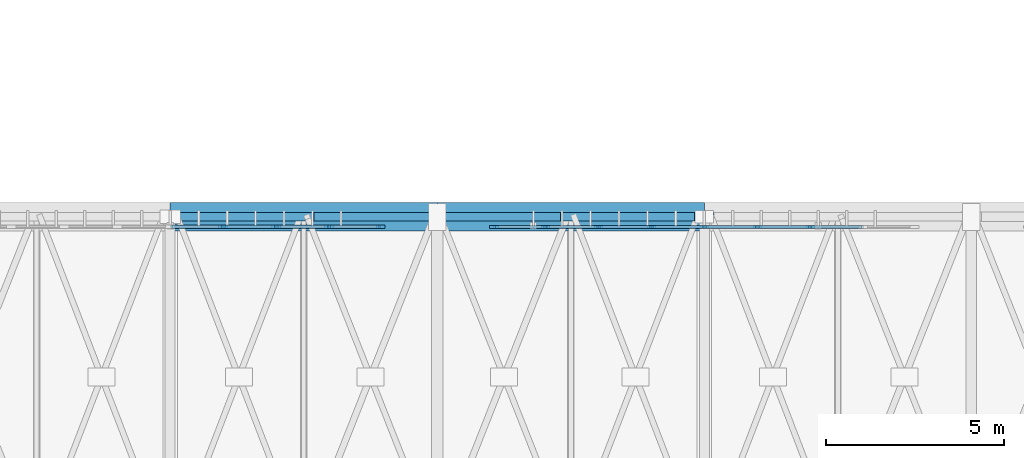
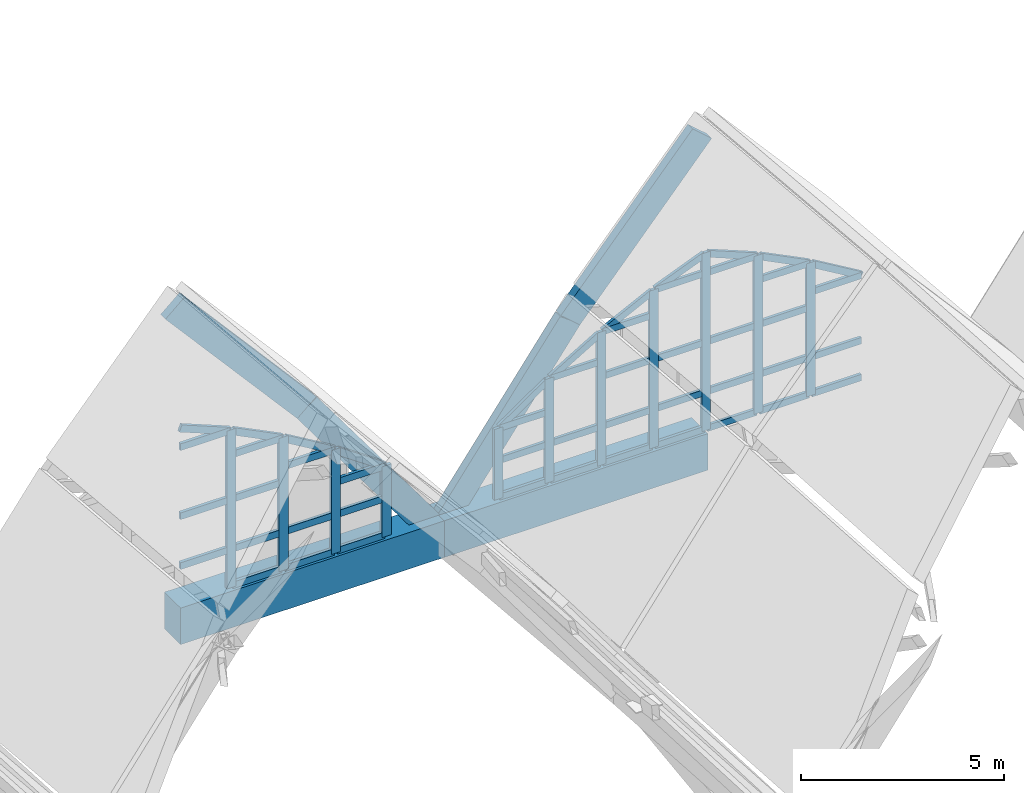
# One storey, part 47 of 93: 60 members, 6 beams, 2 elements without a shape of their own.
"""IFC4 building model written with IfcOpenShell, lengths in metres."""

import ifcopenshell
import ifcopenshell.guid

model = None  # the IFC model being written
_history = None  # IfcOwnerHistory: only IFC2X3 demands one
_inside = {}  # id of a spatial element -> (the spatial element, [elements in it])
_under = {}  # id of a project, library or spatial element -> (it, [spatial elements below it])
_declared = {}  # id of a project -> (the project, [libraries it declares])
_typed = {}  # id of a type object -> (the type object, [elements of that type])
_made_of = {}  # id of a material, layer set ... -> (it, [elements and type objects made of it])


def new_model(schema):
    """Start an empty IFC model of exactly this schema.

    Asked for "IFC4X3", IfcOpenShell would pick the latest addendum, in which some entities
    have other attributes; the version numbers below select the first issue.
    IFC2X3 requires an IfcOwnerHistory on every rooted entity: one is made here for all.
    """
    global model, _history
    if schema == "IFC4X3":
        model = ifcopenshell.file(schema_version=(4, 3, 0, 0))
    else:
        model = ifcopenshell.file(schema=schema)
    _inside.clear()
    _under.clear()
    _declared.clear()
    _typed.clear()
    _made_of.clear()
    _history = None
    if model.schema == "IFC2X3":
        org = make("IfcOrganization", Name="unknown")
        user = make(
            "IfcPersonAndOrganization",
            ThePerson=make("IfcPerson", FamilyName="unknown"),
            TheOrganization=org,
        )
        app = make(
            "IfcApplication",
            ApplicationDeveloper=org,
            Version="unknown",
            ApplicationFullName="unknown",
            ApplicationIdentifier="unknown",
        )
        _history = make(
            "IfcOwnerHistory",
            OwningUser=user,
            OwningApplication=app,
            ChangeAction="ADDED",
            CreationDate=0,
        )
    return model


def make(cls, **values):
    """One entity of the class cls with the attributes given. An attribute that is None is left unset."""
    return model.create_entity(
        cls, **{name: value for name, value in values.items() if value is not None}
    )


def rooted(cls, **values):
    """An entity with a GlobalId (a new one), such as an element, a storey or a relation."""
    return make(cls, GlobalId=ifcopenshell.guid.new(), OwnerHistory=_history, **values)


def si_unit(unit_type, name, prefix=None):
    """IfcSIUnit, for example si_unit("LENGTHUNIT", "METRE", prefix="MILLI")."""
    return make("IfcSIUnit", UnitType=unit_type, Prefix=prefix, Name=name)


def assignment(units):
    """IfcUnitAssignment: the units of a project."""
    return None if units is None else make("IfcUnitAssignment", Units=units)


def point(xyz):
    """IfcCartesianPoint."""
    return None if xyz is None else make("IfcCartesianPoint", Coordinates=xyz)


def direction(xyz):
    """IfcDirection."""
    return None if xyz is None else make("IfcDirection", DirectionRatios=xyz)


def frame(location, z_axis=None, x_axis=None):
    """IfcAxis2Placement3D, a coordinate frame: its origin and axes. An axis left out is left unset."""
    return make(
        "IfcAxis2Placement3D",
        Location=point(location),
        Axis=direction(z_axis),
        RefDirection=direction(x_axis),
    )


def frame_2d(location, x_axis=None):
    """IfcAxis2Placement2D, a coordinate frame in the plane: its origin and x axis."""
    return make(
        "IfcAxis2Placement2D", Location=point(location), RefDirection=direction(x_axis)
    )


def origin():
    """The frame at (0, 0, 0) with its axes left unset."""
    return frame((0.0, 0.0, 0.0))


def origin_2d():
    """The frame at (0, 0) in the plane with its x axis left unset."""
    return frame_2d((0.0, 0.0))


def place(relative_to, where):
    """IfcLocalPlacement: puts the frame where relative to a parent placement (None: the world)."""
    return make(
        "IfcLocalPlacement", PlacementRelTo=relative_to, RelativePlacement=where
    )


def context(
    kind, dimensions, precision=None, world=None, true_north=None, identifier=None
):
    """IfcGeometricRepresentationContext, for example the 3D "Model" context."""
    return make(
        "IfcGeometricRepresentationContext",
        ContextIdentifier=identifier,
        ContextType=kind,
        CoordinateSpaceDimension=dimensions,
        Precision=precision,
        WorldCoordinateSystem=world,
        TrueNorth=true_north,
    )


def subcontext(parent, identifier, kind, view, scale=None):
    """IfcGeometricRepresentationSubContext, for example "Body" below "Model"."""
    return make(
        "IfcGeometricRepresentationSubContext",
        ContextIdentifier=identifier,
        ContextType=kind,
        ParentContext=parent,
        TargetScale=scale,
        TargetView=view,
    )


def project(units=None, contexts=None):
    """IfcProject with its units and contexts."""
    return rooted(
        "IfcProject",
        Name="project",
        RepresentationContexts=contexts,
        UnitsInContext=assignment(units),
    )


def spatial(cls, under=None, at=None, **own):
    """A site, building, storey or space (cls), placed at a placement, below another one or the project."""
    s = rooted(cls, ObjectPlacement=at, **own)
    if under is not None:
        _under.setdefault(under.id(), (under, []))[1].append(s)
    return s


def profile(cls, at=None, kind="AREA", **sizes):
    """A parametric profile (cls). Its sizes go by their IFC names, for example OverallWidth=200.0."""
    return make(cls, ProfileType=kind, Position=at, **sizes)


def rectangle(**sizes):
    """IfcRectangleProfileDef."""
    return profile("IfcRectangleProfileDef", **sizes)


def extrude(swept, where, along, depth):
    """IfcExtrudedAreaSolid: the profile swept, set in the frame where, extruded along a direction by depth."""
    return make(
        "IfcExtrudedAreaSolid",
        SweptArea=swept,
        Position=where,
        ExtrudedDirection=direction(along),
        Depth=depth,
    )


def shape(context_of_items, identifier, shape_type, items):
    """IfcShapeRepresentation: the items that make up one representation, for example the "Body"."""
    return make(
        "IfcShapeRepresentation",
        ContextOfItems=context_of_items,
        RepresentationIdentifier=identifier,
        RepresentationType=shape_type,
        Items=items,
    )


def material(Name=None, Category=None):
    """IfcMaterial."""
    return make("IfcMaterial", Name=Name, Category=Category)


def material_profile(
    of_material, cross_section, Name=None, Category=None, Priority=None
):
    """IfcMaterialProfile: a cross section and its material."""
    return make(
        "IfcMaterialProfile",
        Name=Name,
        Material=of_material,
        Profile=cross_section,
        Priority=Priority,
        Category=Category,
    )


def profile_set(profiles, Name=None, composite=None):
    """IfcMaterialProfileSet."""
    return make(
        "IfcMaterialProfileSet",
        Name=Name,
        MaterialProfiles=profiles,
        CompositeProfile=composite,
    )


def made_of(thing, what):
    """Note that an element or type object is made of a material, layer set ...; save() writes the relation."""
    if what is not None:
        _made_of.setdefault(what.id(), (what, []))[1].append(thing)
    return thing


def type_object(cls, material=None, **own):
    """A type object (cls), such as IfcWallType, which elements share."""
    return made_of(rooted(cls, **own), material)


def element(
    cls,
    number,
    at=None,
    inside=None,
    cuts=None,
    type_object=None,
    material=None,
    context=None,
    identifier="Body",
    shape_type=None,
    held_by="IfcProductDefinitionShape",
    body=None,
    shapes=None,
    **own,
):
    """One element of the class cls, such as IfcWall. Its Tag is "e" and its number.

    at: its placement. inside: the storey or other place that contains it. cuts: it is an
    opening in that element (IfcRelVoidsElement). A single representation is given by context,
    identifier, shape_type and body (its items); several are given by shapes. held_by: the class
    of the entity that holds the representations. save() writes the other relations.
    """
    e = rooted(cls, Tag="e%d" % number, ObjectPlacement=at, **own)
    if body is not None:
        shapes = [shape(context, identifier, shape_type, body)]
    if shapes is not None:
        e.Representation = make(held_by, Representations=shapes)
    if inside is not None:
        _inside.setdefault(inside.id(), (inside, []))[1].append(e)
    if cuts is not None:
        rooted(
            "IfcRelVoidsElement", RelatingBuildingElement=cuts, RelatedOpeningElement=e
        )
    if type_object is not None:
        _typed.setdefault(type_object.id(), (type_object, []))[1].append(e)
    return made_of(e, material)


def aggregate(whole, parts):
    """IfcRelAggregates: a whole, such as a stair, and the parts it consists of."""
    return rooted("IfcRelAggregates", RelatingObject=whole, RelatedObjects=parts)


def save(model, path):
    """Write the relations noted so far, then the file.

    IfcRelAggregates (storeys below a building ...), IfcRelContainedInSpatialStructure (elements
    in a storey), IfcRelDefinesByType, IfcRelAssociatesMaterial and IfcRelDeclares: one each for
    every whole, place, type object, material and project.
    """
    for whole, parts in _under.values():
        aggregate(whole, parts)
    for where, things in _inside.values():
        rooted(
            "IfcRelContainedInSpatialStructure",
            RelatedElements=things,
            RelatingStructure=where,
        )
    for kind, things in _typed.values():
        rooted("IfcRelDefinesByType", RelatedObjects=things, RelatingType=kind)
    for what, things in _made_of.values():
        rooted("IfcRelAssociatesMaterial", RelatedObjects=things, RelatingMaterial=what)
    for by, libraries in _declared.values():
        rooted("IfcRelDeclares", RelatingContext=by, RelatedDefinitions=libraries)
    model.write(path)


model = new_model("IFC4")

# Units and contexts
model_context = context("Model", 3, precision=1e-05, world=origin(), true_north=direction((0.0, 1.0)))
body_context = subcontext(model_context, "Body", "Model", "MODEL_VIEW")
ifc_project = project(units=[si_unit("LENGTHUNIT", "METRE"), si_unit("AREAUNIT", "SQUARE_METRE"), si_unit("VOLUMEUNIT", "CUBIC_METRE"), si_unit("PLANEANGLEUNIT", "RADIAN"), si_unit("MASSUNIT", "GRAM", prefix="KILO")], contexts=[model_context])

# Site, building, storey
site_placement = place(None, origin())
site = spatial("IfcSite", under=ifc_project, at=site_placement, CompositionType="ELEMENT")
building_placement = place(site_placement, origin())
building = spatial("IfcBuilding", under=site, at=building_placement, Name="Vourika Railside Aquatics Centre", CompositionType="ELEMENT")
storey_placement = place(building_placement, frame((0.0, 0.0, 21.89990234375)))
storey = spatial("IfcBuildingStorey", under=building, at=storey_placement, Name="Roof", CompositionType="ELEMENT", Elevation=21.89990234375)

# Beams
ifc_material_1 = material(Name="Glulam GL32h", Category="wood")
ifc_material_profile_1 = material_profile(ifc_material_1, rectangle(XDim=0.239990234375, YDim=0.719970703125, at=origin_2d()), Name="GL32h 240x720")
ifc_profile_set_1 = profile_set([ifc_material_profile_1], Name="Glulam GL32h")
beam_type_1 = type_object("IfcBeamType", Name="BM-GL-ARCH-240x720", PredefinedType="BEAM", material=ifc_profile_set_1)
beam_1_placement = place(storey_placement, frame((103.5, 66.0, -2.2998046875), z_axis=(0.657258623263, 0.0, -0.75366511273), x_axis=(0.0, 1.0, 0.0)))
element("IfcBeam", 1, at=beam_1_placement, inside=storey, type_object=beam_type_1, Name="Pointed Glulam Vault Arch Rib GAR-0163", PredefinedType="BEAM", context=body_context, shape_type="SweptSolid", body=[
    extrude(rectangle(XDim=0.239990234375, YDim=0.719970703125, at=origin_2d()), origin(), (0.0, 0.0, 1.0), 5.70556640625),
])
for number, where, z_axis, x_axis, name in (
    (2, (107.25, 66.0, -6.599853515625), (0.592383087934, 0.0, -0.805656426233), (0.0, 1.0, 0.0), "Pointed Glulam Vault Arch Rib GAR-0164"),
    (3, (111.0, 66.0, -11.699951171875), (0.592383087934, 0.0, 0.805656426233), (0.0, 1.0, 0.0), "Pointed Glulam Vault Arch Rib GAR-0195"),
):
    element("IfcBeam", number, at=place(storey_placement, frame(where, z_axis=z_axis, x_axis=x_axis)), inside=storey, type_object=beam_type_1, Name=name, PredefinedType="BEAM", context=body_context, shape_type="SweptSolid", body=[
        extrude(rectangle(XDim=0.239990234375, YDim=0.719970703125, at=origin_2d()), origin(), (0.0, 0.0, 1.0), 6.330322265625),
    ])
beam_2_placement = place(storey_placement, frame((114.75, 66.0, -6.599853515625), z_axis=(0.657258623263, 0.0, 0.75366511273), x_axis=(0.0, 1.0, 0.0)))
element("IfcBeam", 4, at=beam_2_placement, inside=storey, type_object=beam_type_1, Name="Pointed Glulam Vault Arch Rib GAR-0196", PredefinedType="BEAM", context=body_context, shape_type="SweptSolid", body=[
    extrude(rectangle(XDim=0.239990234375, YDim=0.719970703125, at=origin_2d()), origin(), (0.0, 0.0, 1.0), 5.70556640625),
])
ifc_material_2 = material(Name="Concrete C40/50", Category="concrete")
ifc_material_profile_2 = material_profile(ifc_material_2, rectangle(XDim=0.800048828125, YDim=1.10009765625, at=origin_2d()), Name="RC 800x1100")
ifc_profile_set_2 = profile_set([ifc_material_profile_2], Name="Concrete C40/50")
beam_type_2 = type_object("IfcBeamType", Name="BM-RING-800x1100", PredefinedType="BEAM", material=ifc_profile_set_2)
for number, where, z_axis, x_axis, name in (
    (5, (103.5, 66.0, -11.699951171875), (1.0, 0.0, 0.0), (0.0, 1.0, 0.0), "Vault Springing Ring Beam N (103.5-111.0)"),
    (6, (111.0, 66.0, -11.699951171875), (1.0, 0.0, 0.0), (0.0, 1.0, 0.0), "Vault Springing Ring Beam N (111.0-118.5)"),
):
    element("IfcBeam", number, at=place(storey_placement, frame(where, z_axis=z_axis, x_axis=x_axis)), inside=storey, type_object=beam_type_2, Name=name, PredefinedType="BEAM", context=body_context, shape_type="SweptSolid", body=[
        extrude(rectangle(XDim=0.800048828125, YDim=1.10009765625, at=origin_2d()), origin(), (0.0, 0.0, 1.0), 7.5),
    ])

# Curtain wall, members
ifc_material_3 = material(Name="Anodized thermally broken aluminium", Category="aluminium")
curtain_wall_type_1 = type_object("IfcCurtainWallType", Name="CW-VLTN1", PredefinedType="NOTDEFINED", material=ifc_material_3)
curtain_wall_1_placement = place(storey_placement, origin())
curtain_wall_1 = element("IfcCurtainWall", 7, at=curtain_wall_1_placement, inside=storey, type_object=curtain_wall_type_1, Name="North Courtyard Pointed-Arch Curtain Wall Bay 6", PredefinedType="NOTDEFINED")
ifc_material_4 = material(Name="Anodized aluminium mullion", Category="aluminium")
ifc_material_profile_3 = material_profile(ifc_material_4, rectangle(XDim=0.0849609375, YDim=0.25, at=origin_2d()), Name="ALU-M 85x250")
ifc_profile_set_3 = profile_set([ifc_material_profile_3], Name="Anodized aluminium mullion")
member_type_1 = type_object("IfcMemberType", Name="CWM-VLTN1", PredefinedType="MULLION", material=ifc_profile_set_3)
member_1_placement = place(storey_placement, frame((121.47509765625, 65.719970703125, -11.099853515625), z_axis=(0.0, 0.0, 1.0), x_axis=(0.0, -1.0, 0.0)))
member_1 = element("IfcMember", 8, at=member_1_placement, type_object=member_type_1, Name="CW01 arch mullion 3", PredefinedType="MULLION", context=body_context, shape_type="SweptSolid", body=[
    extrude(rectangle(XDim=0.0849609375, YDim=0.25, at=origin_2d()), origin(), (0.0, 0.0, 1.0), 4.009033203125),
])
member_2_placement = place(storey_placement, frame((119.987548828125, 65.719970703125, -11.099853515625), z_axis=(0.0, 0.0, 1.0), x_axis=(0.0, -1.0, 0.0)))
member_2 = element("IfcMember", 9, at=member_2_placement, type_object=member_type_1, Name="CW01 arch mullion 4", PredefinedType="MULLION", context=body_context, shape_type="SweptSolid", body=[
    extrude(rectangle(XDim=0.0849609375, YDim=0.25, at=origin_2d()), origin(), (0.0, 0.0, 1.0), 4.7509765625),
])
member_3_placement = place(storey_placement, frame((118.5, 65.719970703125, -11.099853515625), z_axis=(0.0, 0.0, 1.0), x_axis=(0.0, -1.0, 0.0)))
member_3 = element("IfcMember", 10, at=member_3_placement, type_object=member_type_1, Name="CW01 arch mullion 5", PredefinedType="MULLION", context=body_context, shape_type="SweptSolid", body=[
    extrude(rectangle(XDim=0.0849609375, YDim=0.25, at=origin_2d()), origin(), (0.0, 0.0, 1.0), 5.349853515625),
])
member_4_placement = place(storey_placement, frame((117.012451171875, 65.719970703125, -11.099853515625), z_axis=(0.0, 0.0, 1.0), x_axis=(0.0, -1.0, 0.0)))
member_4 = element("IfcMember", 11, at=member_4_placement, type_object=member_type_1, Name="CW01 arch mullion 6", PredefinedType="MULLION", context=body_context, shape_type="SweptSolid", body=[
    extrude(rectangle(XDim=0.0849609375, YDim=0.25, at=origin_2d()), origin(), (0.0, 0.0, 1.0), 4.7509765625),
])
member_5_placement = place(storey_placement, frame((115.52490234375, 65.719970703125, -11.099853515625), z_axis=(0.0, 0.0, 1.0), x_axis=(0.0, -1.0, 0.0)))
member_5 = element("IfcMember", 12, at=member_5_placement, type_object=member_type_1, Name="CW01 arch mullion 7", PredefinedType="MULLION", context=body_context, shape_type="SweptSolid", body=[
    extrude(rectangle(XDim=0.0849609375, YDim=0.25, at=origin_2d()), origin(), (0.0, 0.0, 1.0), 4.009033203125),
])
member_6_placement = place(storey_placement, frame((114.03759765625, 65.719970703125, -11.099853515625), z_axis=(0.0, 0.0, 1.0), x_axis=(0.0, -1.0, 0.0)))
member_6 = element("IfcMember", 13, at=member_6_placement, type_object=member_type_1, Name="CW01 arch mullion 8", PredefinedType="MULLION", context=body_context, shape_type="SweptSolid", body=[
    extrude(rectangle(XDim=0.0849609375, YDim=0.25, at=origin_2d()), origin(), (0.0, 0.0, 1.0), 3.1259765625),
])
member_7_placement = place(storey_placement, frame((112.592529296875, 65.719970703125, -11.099853515625), z_axis=(0.0, 0.0, 1.0), x_axis=(0.0, -1.0, 0.0)))
member_7 = element("IfcMember", 14, at=member_7_placement, type_object=member_type_1, Name="CW01 arch mullion 9", PredefinedType="MULLION", context=body_context, shape_type="SweptSolid", body=[
    extrude(rectangle(XDim=0.0849609375, YDim=0.25, at=origin_2d()), origin(), (0.0, 0.0, 1.0), 2.130859375),
])

curtain_wall_type_2 = type_object("IfcCurtainWallType", Name="CW-VLTN2", PredefinedType="NOTDEFINED", material=ifc_material_3)
curtain_wall_2_placement = place(storey_placement, origin())
curtain_wall_2 = element("IfcCurtainWall", 15, at=curtain_wall_2_placement, inside=storey, type_object=curtain_wall_type_2, Name="North Courtyard Pointed-Arch Curtain Wall Bay 5", PredefinedType="NOTDEFINED")
ifc_material_profile_4 = material_profile(ifc_material_4, rectangle(XDim=0.090087890625, YDim=0.264892578125, at=origin_2d()), Name="ALU-M 90x265")
ifc_profile_set_4 = profile_set([ifc_material_profile_4], Name="Anodized aluminium mullion")
member_type_2 = type_object("IfcMemberType", Name="CWM-VLTN2", PredefinedType="MULLION", material=ifc_profile_set_4)
member_8_placement = place(storey_placement, frame((109.405029296875, 65.719970703125, -11.099853515625), z_axis=(0.0, 0.0, 1.0), x_axis=(0.0, -1.0, 0.0)))
member_8 = element("IfcMember", 16, at=member_8_placement, type_object=member_type_2, Name="CW02 arch mullion 1", PredefinedType="MULLION", context=body_context, shape_type="SweptSolid", body=[
    extrude(rectangle(XDim=0.090087890625, YDim=0.264892578125, at=origin_2d()), origin(), (0.0, 0.0, 1.0), 2.133056640625),
])
member_9_placement = place(storey_placement, frame((107.96240234375, 65.719970703125, -11.099853515625), z_axis=(0.0, 0.0, 1.0), x_axis=(0.0, -1.0, 0.0)))
member_9 = element("IfcMember", 17, at=member_9_placement, type_object=member_type_2, Name="CW02 arch mullion 2", PredefinedType="MULLION", context=body_context, shape_type="SweptSolid", body=[
    extrude(rectangle(XDim=0.090087890625, YDim=0.264892578125, at=origin_2d()), origin(), (0.0, 0.0, 1.0), 3.1259765625),
])
member_10_placement = place(storey_placement, frame((106.47509765625, 65.719970703125, -11.099853515625), z_axis=(0.0, 0.0, 1.0), x_axis=(0.0, -1.0, 0.0)))
member_10 = element("IfcMember", 18, at=member_10_placement, type_object=member_type_2, Name="CW02 arch mullion 3", PredefinedType="MULLION", context=body_context, shape_type="SweptSolid", body=[
    extrude(rectangle(XDim=0.090087890625, YDim=0.264892578125, at=origin_2d()), origin(), (0.0, 0.0, 1.0), 4.009033203125),
])
member_11_placement = place(storey_placement, frame((104.987548828125, 65.719970703125, -11.099853515625), z_axis=(0.0, 0.0, 1.0), x_axis=(0.0, -1.0, 0.0)))
member_11 = element("IfcMember", 19, at=member_11_placement, type_object=member_type_2, Name="CW02 arch mullion 4", PredefinedType="MULLION", context=body_context, shape_type="SweptSolid", body=[
    extrude(rectangle(XDim=0.090087890625, YDim=0.264892578125, at=origin_2d()), origin(), (0.0, 0.0, 1.0), 4.7509765625),
])

# Member
ifc_material_5 = material(Name="Anodized aluminium transom", Category="aluminium")
ifc_material_profile_5 = material_profile(ifc_material_5, rectangle(XDim=0.0849609375, YDim=0.195068359375, at=origin_2d()), Name="ALU-T 85x195")
ifc_profile_set_5 = profile_set([ifc_material_profile_5], Name="Anodized aluminium transom")
member_type_3 = type_object("IfcMemberType", Name="CWT-VLTN1", PredefinedType="USERDEFINED", material=ifc_profile_set_5)
member_12_placement = place(storey_placement, frame((122.919921875, 65.719970703125, -11.057373046875), z_axis=(-1.0, 0.0, 0.0), x_axis=(0.0, -1.0, 0.0)))
member_12 = element("IfcMember", 20, at=member_12_placement, type_object=member_type_3, Name="CW01 transom 2.1", ObjectType="TRANSOM", PredefinedType="USERDEFINED", context=body_context, shape_type="SweptSolid", body=[
    extrude(rectangle(XDim=0.0849609375, YDim=0.195068359375, at=origin_2d()), origin(), (0.0, 0.0, 1.0), 1.40234375),
])

member_13_placement = place(storey_placement, frame((122.919921875, 65.719970703125, -9.949951171875), z_axis=(-1.0, 0.0, 0.0), x_axis=(0.0, -1.0, 0.0)))
member_13 = element("IfcMember", 21, at=member_13_placement, type_object=member_type_3, Name="CW01 transom 2.2", ObjectType="TRANSOM", PredefinedType="USERDEFINED", context=body_context, shape_type="SweptSolid", body=[
    extrude(rectangle(XDim=0.0849609375, YDim=0.195068359375, at=origin_2d()), origin(), (0.0, 0.0, 1.0), 1.40234375),
])

member_14_placement = place(storey_placement, frame((122.919921875, 65.719970703125, -7.989501953125), z_axis=(-1.0, 0.0, 0.0), x_axis=(0.0, -1.0, 0.0)))
member_14 = element("IfcMember", 22, at=member_14_placement, type_object=member_type_3, Name="CW01 transom 2.3", ObjectType="TRANSOM", PredefinedType="USERDEFINED", context=body_context, shape_type="SweptSolid", body=[
    extrude(rectangle(XDim=0.0849609375, YDim=0.195068359375, at=origin_2d()), origin(), (0.0, 0.0, 1.0), 1.40234375),
])

member_15_placement = place(storey_placement, frame((122.919921875, 65.719970703125, -7.989501953125), z_axis=(-0.859756166629, 0.0, 0.510704742433), x_axis=(0.0, -1.0, 0.0)))
member_15 = element("IfcMember", 23, at=member_15_placement, type_object=member_type_3, Name="CW01 arch chord transom 2", ObjectType="TRANSOM", PredefinedType="USERDEFINED", context=body_context, shape_type="SweptSolid", body=[
    extrude(rectangle(XDim=0.0849609375, YDim=0.195068359375, at=origin_2d()), origin(), (0.0, 0.0, 1.0), 1.631103515625),
])

member_16_placement = place(storey_placement, frame((121.4326171875, 65.719970703125, -11.057373046875), z_axis=(-1.0, 0.0, 0.0), x_axis=(0.0, -1.0, 0.0)))
member_16 = element("IfcMember", 24, at=member_16_placement, type_object=member_type_3, Name="CW01 transom 3.1", ObjectType="TRANSOM", PredefinedType="USERDEFINED", context=body_context, shape_type="SweptSolid", body=[
    extrude(rectangle(XDim=0.0849609375, YDim=0.195068359375, at=origin_2d()), origin(), (0.0, 0.0, 1.0), 1.402587890625),
])

member_17_placement = place(storey_placement, frame((121.4326171875, 65.719970703125, -9.949951171875), z_axis=(-1.0, 0.0, 0.0), x_axis=(0.0, -1.0, 0.0)))
member_17 = element("IfcMember", 25, at=member_17_placement, type_object=member_type_3, Name="CW01 transom 3.2", ObjectType="TRANSOM", PredefinedType="USERDEFINED", context=body_context, shape_type="SweptSolid", body=[
    extrude(rectangle(XDim=0.0849609375, YDim=0.195068359375, at=origin_2d()), origin(), (0.0, 0.0, 1.0), 1.402587890625),
])

member_18_placement = place(storey_placement, frame((121.4326171875, 65.719970703125, -8.449951171875), z_axis=(-1.0, 0.0, 0.0), x_axis=(0.0, -1.0, 0.0)))
member_18 = element("IfcMember", 26, at=member_18_placement, type_object=member_type_3, Name="CW01 transom 3.3", ObjectType="TRANSOM", PredefinedType="USERDEFINED", context=body_context, shape_type="SweptSolid", body=[
    extrude(rectangle(XDim=0.0849609375, YDim=0.195068359375, at=origin_2d()), origin(), (0.0, 0.0, 1.0), 1.402587890625),
])

member_19_placement = place(storey_placement, frame((121.4326171875, 65.719970703125, -7.109375), z_axis=(-1.0, 0.0, 0.0), x_axis=(0.0, -1.0, 0.0)))
member_19 = element("IfcMember", 27, at=member_19_placement, type_object=member_type_3, Name="CW01 transom 3.4", ObjectType="TRANSOM", PredefinedType="USERDEFINED", context=body_context, shape_type="SweptSolid", body=[
    extrude(rectangle(XDim=0.0849609375, YDim=0.195068359375, at=origin_2d()), origin(), (0.0, 0.0, 1.0), 1.402587890625),
])

member_20_placement = place(storey_placement, frame((121.4326171875, 65.719970703125, -7.109375), z_axis=(-0.895018412541, 0.0, 0.44602919323), x_axis=(0.0, -1.0, 0.0)))
member_20 = element("IfcMember", 28, at=member_20_placement, type_object=member_type_3, Name="CW01 arch chord transom 3", ObjectType="TRANSOM", PredefinedType="USERDEFINED", context=body_context, shape_type="SweptSolid", body=[
    extrude(rectangle(XDim=0.0849609375, YDim=0.195068359375, at=origin_2d()), origin(), (0.0, 0.0, 1.0), 1.567138671875),
])

member_21_placement = place(storey_placement, frame((119.945068359375, 65.719970703125, -11.057373046875), z_axis=(-1.0, 0.0, 0.0), x_axis=(0.0, -1.0, 0.0)))
member_21 = element("IfcMember", 29, at=member_21_placement, type_object=member_type_3, Name="CW01 transom 4.1", ObjectType="TRANSOM", PredefinedType="USERDEFINED", context=body_context, shape_type="SweptSolid", body=[
    extrude(rectangle(XDim=0.0849609375, YDim=0.195068359375, at=origin_2d()), origin(), (0.0, 0.0, 1.0), 1.402587890625),
])

member_22_placement = place(storey_placement, frame((119.945068359375, 65.719970703125, -9.949951171875), z_axis=(-1.0, 0.0, 0.0), x_axis=(0.0, -1.0, 0.0)))
member_22 = element("IfcMember", 30, at=member_22_placement, type_object=member_type_3, Name="CW01 transom 4.2", ObjectType="TRANSOM", PredefinedType="USERDEFINED", context=body_context, shape_type="SweptSolid", body=[
    extrude(rectangle(XDim=0.0849609375, YDim=0.195068359375, at=origin_2d()), origin(), (0.0, 0.0, 1.0), 1.402587890625),
])

member_23_placement = place(storey_placement, frame((119.945068359375, 65.719970703125, -8.449951171875), z_axis=(-1.0, 0.0, 0.0), x_axis=(0.0, -1.0, 0.0)))
member_23 = element("IfcMember", 31, at=member_23_placement, type_object=member_type_3, Name="CW01 transom 4.3", ObjectType="TRANSOM", PredefinedType="USERDEFINED", context=body_context, shape_type="SweptSolid", body=[
    extrude(rectangle(XDim=0.0849609375, YDim=0.195068359375, at=origin_2d()), origin(), (0.0, 0.0, 1.0), 1.402587890625),
])

member_24_placement = place(storey_placement, frame((119.945068359375, 65.719970703125, -6.372314453125), z_axis=(-1.0, 0.0, 0.0), x_axis=(0.0, -1.0, 0.0)))
member_24 = element("IfcMember", 32, at=member_24_placement, type_object=member_type_3, Name="CW01 transom 4.4", ObjectType="TRANSOM", PredefinedType="USERDEFINED", context=body_context, shape_type="SweptSolid", body=[
    extrude(rectangle(XDim=0.0849609375, YDim=0.195068359375, at=origin_2d()), origin(), (0.0, 0.0, 1.0), 1.402587890625),
])

member_25_placement = place(storey_placement, frame((119.945068359375, 65.719970703125, -6.372314453125), z_axis=(-0.927583210555, 0.0, 0.373616631719), x_axis=(0.0, -1.0, 0.0)))
member_25 = element("IfcMember", 33, at=member_25_placement, type_object=member_type_3, Name="CW01 arch chord transom 4", ObjectType="TRANSOM", PredefinedType="USERDEFINED", context=body_context, shape_type="SweptSolid", body=[
    extrude(rectangle(XDim=0.0849609375, YDim=0.195068359375, at=origin_2d()), origin(), (0.0, 0.0, 1.0), 1.51220703125),
])

member_26_placement = place(storey_placement, frame((118.45751953125, 65.719970703125, -11.057373046875), z_axis=(-1.0, 0.0, 0.0), x_axis=(0.0, -1.0, 0.0)))
member_26 = element("IfcMember", 34, at=member_26_placement, type_object=member_type_3, Name="CW01 transom 5.1", ObjectType="TRANSOM", PredefinedType="USERDEFINED", context=body_context, shape_type="SweptSolid", body=[
    extrude(rectangle(XDim=0.0849609375, YDim=0.195068359375, at=origin_2d()), origin(), (0.0, 0.0, 1.0), 1.402587890625),
])

member_27_placement = place(storey_placement, frame((118.45751953125, 65.719970703125, -9.949951171875), z_axis=(-1.0, 0.0, 0.0), x_axis=(0.0, -1.0, 0.0)))
member_27 = element("IfcMember", 35, at=member_27_placement, type_object=member_type_3, Name="CW01 transom 5.2", ObjectType="TRANSOM", PredefinedType="USERDEFINED", context=body_context, shape_type="SweptSolid", body=[
    extrude(rectangle(XDim=0.0849609375, YDim=0.195068359375, at=origin_2d()), origin(), (0.0, 0.0, 1.0), 1.402587890625),
])

member_28_placement = place(storey_placement, frame((118.45751953125, 65.719970703125, -8.449951171875), z_axis=(-1.0, 0.0, 0.0), x_axis=(0.0, -1.0, 0.0)))
member_28 = element("IfcMember", 36, at=member_28_placement, type_object=member_type_3, Name="CW01 transom 5.3", ObjectType="TRANSOM", PredefinedType="USERDEFINED", context=body_context, shape_type="SweptSolid", body=[
    extrude(rectangle(XDim=0.0849609375, YDim=0.195068359375, at=origin_2d()), origin(), (0.0, 0.0, 1.0), 1.402587890625),
])

member_29_placement = place(storey_placement, frame((118.45751953125, 65.719970703125, -6.372314453125), z_axis=(-1.0, 0.0, 0.0), x_axis=(0.0, -1.0, 0.0)))
member_29 = element("IfcMember", 37, at=member_29_placement, type_object=member_type_3, Name="CW01 transom 5.4", ObjectType="TRANSOM", PredefinedType="USERDEFINED", context=body_context, shape_type="SweptSolid", body=[
    extrude(rectangle(XDim=0.0849609375, YDim=0.195068359375, at=origin_2d()), origin(), (0.0, 0.0, 1.0), 1.402587890625),
])

member_30_placement = place(storey_placement, frame((118.45751953125, 65.719970703125, -5.807373046875), z_axis=(-0.927583210555, 0.0, -0.373616631719), x_axis=(0.0, -1.0, 0.0)))
member_30 = element("IfcMember", 38, at=member_30_placement, type_object=member_type_3, Name="CW01 arch chord transom 5", ObjectType="TRANSOM", PredefinedType="USERDEFINED", context=body_context, shape_type="SweptSolid", body=[
    extrude(rectangle(XDim=0.0849609375, YDim=0.195068359375, at=origin_2d()), origin(), (0.0, 0.0, 1.0), 1.51220703125),
])

member_31_placement = place(storey_placement, frame((116.969970703125, 65.719970703125, -11.057373046875), z_axis=(-1.0, 0.0, 0.0), x_axis=(0.0, -1.0, 0.0)))
member_31 = element("IfcMember", 39, at=member_31_placement, type_object=member_type_3, Name="CW01 transom 6.1", ObjectType="TRANSOM", PredefinedType="USERDEFINED", context=body_context, shape_type="SweptSolid", body=[
    extrude(rectangle(XDim=0.0849609375, YDim=0.195068359375, at=origin_2d()), origin(), (0.0, 0.0, 1.0), 1.402587890625),
])

member_32_placement = place(storey_placement, frame((116.969970703125, 65.719970703125, -9.949951171875), z_axis=(-1.0, 0.0, 0.0), x_axis=(0.0, -1.0, 0.0)))
member_32 = element("IfcMember", 40, at=member_32_placement, type_object=member_type_3, Name="CW01 transom 6.2", ObjectType="TRANSOM", PredefinedType="USERDEFINED", context=body_context, shape_type="SweptSolid", body=[
    extrude(rectangle(XDim=0.0849609375, YDim=0.195068359375, at=origin_2d()), origin(), (0.0, 0.0, 1.0), 1.402587890625),
])

member_33_placement = place(storey_placement, frame((116.969970703125, 65.719970703125, -8.449951171875), z_axis=(-1.0, 0.0, 0.0), x_axis=(0.0, -1.0, 0.0)))
member_33 = element("IfcMember", 41, at=member_33_placement, type_object=member_type_3, Name="CW01 transom 6.3", ObjectType="TRANSOM", PredefinedType="USERDEFINED", context=body_context, shape_type="SweptSolid", body=[
    extrude(rectangle(XDim=0.0849609375, YDim=0.195068359375, at=origin_2d()), origin(), (0.0, 0.0, 1.0), 1.402587890625),
])

member_34_placement = place(storey_placement, frame((116.969970703125, 65.719970703125, -7.109375), z_axis=(-1.0, 0.0, 0.0), x_axis=(0.0, -1.0, 0.0)))
member_34 = element("IfcMember", 42, at=member_34_placement, type_object=member_type_3, Name="CW01 transom 6.4", ObjectType="TRANSOM", PredefinedType="USERDEFINED", context=body_context, shape_type="SweptSolid", body=[
    extrude(rectangle(XDim=0.0849609375, YDim=0.195068359375, at=origin_2d()), origin(), (0.0, 0.0, 1.0), 1.402587890625),
])

member_35_placement = place(storey_placement, frame((116.969970703125, 65.719970703125, -6.410400390625), z_axis=(-0.895018412541, 0.0, -0.44602919323), x_axis=(0.0, -1.0, 0.0)))
member_35 = element("IfcMember", 43, at=member_35_placement, type_object=member_type_3, Name="CW01 arch chord transom 6", ObjectType="TRANSOM", PredefinedType="USERDEFINED", context=body_context, shape_type="SweptSolid", body=[
    extrude(rectangle(XDim=0.0849609375, YDim=0.195068359375, at=origin_2d()), origin(), (0.0, 0.0, 1.0), 1.567138671875),
])

member_36_placement = place(storey_placement, frame((115.482421875, 65.719970703125, -11.057373046875), z_axis=(-1.0, 0.0, 0.0), x_axis=(0.0, -1.0, 0.0)))
member_36 = element("IfcMember", 44, at=member_36_placement, type_object=member_type_3, Name="CW01 transom 7.1", ObjectType="TRANSOM", PredefinedType="USERDEFINED", context=body_context, shape_type="SweptSolid", body=[
    extrude(rectangle(XDim=0.0849609375, YDim=0.195068359375, at=origin_2d()), origin(), (0.0, 0.0, 1.0), 1.40234375),
])

member_37_placement = place(storey_placement, frame((115.482421875, 65.719970703125, -9.949951171875), z_axis=(-1.0, 0.0, 0.0), x_axis=(0.0, -1.0, 0.0)))
member_37 = element("IfcMember", 45, at=member_37_placement, type_object=member_type_3, Name="CW01 transom 7.2", ObjectType="TRANSOM", PredefinedType="USERDEFINED", context=body_context, shape_type="SweptSolid", body=[
    extrude(rectangle(XDim=0.0849609375, YDim=0.195068359375, at=origin_2d()), origin(), (0.0, 0.0, 1.0), 1.40234375),
])

member_38_placement = place(storey_placement, frame((115.482421875, 65.719970703125, -7.989501953125), z_axis=(-1.0, 0.0, 0.0), x_axis=(0.0, -1.0, 0.0)))
member_38 = element("IfcMember", 46, at=member_38_placement, type_object=member_type_3, Name="CW01 transom 7.3", ObjectType="TRANSOM", PredefinedType="USERDEFINED", context=body_context, shape_type="SweptSolid", body=[
    extrude(rectangle(XDim=0.0849609375, YDim=0.195068359375, at=origin_2d()), origin(), (0.0, 0.0, 1.0), 1.40234375),
])

member_39_placement = place(storey_placement, frame((115.482421875, 65.719970703125, -7.156494140625), z_axis=(-0.859756166629, 0.0, -0.510704742433), x_axis=(0.0, -1.0, 0.0)))
member_39 = element("IfcMember", 47, at=member_39_placement, type_object=member_type_3, Name="CW01 arch chord transom 7", ObjectType="TRANSOM", PredefinedType="USERDEFINED", context=body_context, shape_type="SweptSolid", body=[
    extrude(rectangle(XDim=0.0849609375, YDim=0.195068359375, at=origin_2d()), origin(), (0.0, 0.0, 1.0), 1.631103515625),
])

member_40_placement = place(storey_placement, frame((113.9951171875, 65.719970703125, -11.057373046875), z_axis=(-1.0, 0.0, 0.0), x_axis=(0.0, -1.0, 0.0)))
member_40 = element("IfcMember", 48, at=member_40_placement, type_object=member_type_3, Name="CW01 transom 8.1", ObjectType="TRANSOM", PredefinedType="USERDEFINED", context=body_context, shape_type="SweptSolid", body=[
    extrude(rectangle(XDim=0.0849609375, YDim=0.195068359375, at=origin_2d()), origin(), (0.0, 0.0, 1.0), 1.360107421875),
])

member_41_placement = place(storey_placement, frame((113.9951171875, 65.719970703125, -9.949951171875), z_axis=(-1.0, 0.0, 0.0), x_axis=(0.0, -1.0, 0.0)))
member_41 = element("IfcMember", 49, at=member_41_placement, type_object=member_type_3, Name="CW01 transom 8.2", ObjectType="TRANSOM", PredefinedType="USERDEFINED", context=body_context, shape_type="SweptSolid", body=[
    extrude(rectangle(XDim=0.0849609375, YDim=0.195068359375, at=origin_2d()), origin(), (0.0, 0.0, 1.0), 1.360107421875),
])

member_42_placement = place(storey_placement, frame((113.9951171875, 65.719970703125, -8.98046875), z_axis=(-1.0, 0.0, 0.0), x_axis=(0.0, -1.0, 0.0)))
member_42 = element("IfcMember", 50, at=member_42_placement, type_object=member_type_3, Name="CW01 transom 8.3", ObjectType="TRANSOM", PredefinedType="USERDEFINED", context=body_context, shape_type="SweptSolid", body=[
    extrude(rectangle(XDim=0.0849609375, YDim=0.195068359375, at=origin_2d()), origin(), (0.0, 0.0, 1.0), 1.360107421875),
])

member_43_placement = place(storey_placement, frame((113.9951171875, 65.719970703125, -8.04443359375), z_axis=(-0.823770019809, 0.0, -0.566924117025), x_axis=(0.0, -1.0, 0.0)))
member_43 = element("IfcMember", 51, at=member_43_placement, type_object=member_type_3, Name="CW01 arch chord transom 8", ObjectType="TRANSOM", PredefinedType="USERDEFINED", context=body_context, shape_type="SweptSolid", body=[
    extrude(rectangle(XDim=0.0849609375, YDim=0.195068359375, at=origin_2d()), origin(), (0.0, 0.0, 1.0), 1.651123046875),
])

aggregate(curtain_wall_1, [member_1, member_2, member_3, member_4, member_5, member_6, member_7, member_12, member_13, member_14, member_15, member_16, member_17, member_18, member_19, member_20, member_21, member_22, member_23, member_24, member_25, member_26, member_27, member_28, member_29, member_30, member_31, member_32, member_33, member_34, member_35, member_36, member_37, member_38, member_39, member_40, member_41, member_42, member_43])

ifc_material_profile_6 = material_profile(ifc_material_5, rectangle(XDim=0.090087890625, YDim=0.205078125, at=origin_2d()), Name="ALU-T 90x205")
ifc_profile_set_6 = profile_set([ifc_material_profile_6], Name="Anodized aluminium transom")
member_type_4 = type_object("IfcMemberType", Name="CWT-VLTN2", PredefinedType="USERDEFINED", material=ifc_profile_set_6)
member_44_placement = place(storey_placement, frame((109.360107421875, 65.719970703125, -11.054931640625), z_axis=(-1.0, 0.0, 0.0), x_axis=(0.0, -1.0, 0.0)))
member_44 = element("IfcMember", 52, at=member_44_placement, type_object=member_type_4, Name="CW02 transom 1.1", ObjectType="TRANSOM", PredefinedType="USERDEFINED", context=body_context, shape_type="SweptSolid", body=[
    extrude(rectangle(XDim=0.090087890625, YDim=0.205078125, at=origin_2d()), origin(), (0.0, 0.0, 1.0), 1.3525390625),
])

member_45_placement = place(storey_placement, frame((109.360107421875, 65.719970703125, -9.949951171875), z_axis=(-1.0, 0.0, 0.0), x_axis=(0.0, -1.0, 0.0)))
member_45 = element("IfcMember", 53, at=member_45_placement, type_object=member_type_4, Name="CW02 transom 1.2", ObjectType="TRANSOM", PredefinedType="USERDEFINED", context=body_context, shape_type="SweptSolid", body=[
    extrude(rectangle(XDim=0.090087890625, YDim=0.205078125, at=origin_2d()), origin(), (0.0, 0.0, 1.0), 1.3525390625),
])

member_46_placement = place(storey_placement, frame((109.360107421875, 65.719970703125, -8.97900390625), z_axis=(-1.0, 0.0, 0.0), x_axis=(0.0, -1.0, 0.0)))
member_46 = element("IfcMember", 54, at=member_46_placement, type_object=member_type_4, Name="CW02 transom 1.3", ObjectType="TRANSOM", PredefinedType="USERDEFINED", context=body_context, shape_type="SweptSolid", body=[
    extrude(rectangle(XDim=0.090087890625, YDim=0.205078125, at=origin_2d()), origin(), (0.0, 0.0, 1.0), 1.3525390625),
])

member_47_placement = place(storey_placement, frame((109.360107421875, 65.719970703125, -8.97900390625), z_axis=(-0.82367735406, 0.0, 0.567058741586), x_axis=(0.0, -1.0, 0.0)))
member_47 = element("IfcMember", 55, at=member_47_placement, type_object=member_type_4, Name="CW02 arch chord transom 1", ObjectType="TRANSOM", PredefinedType="USERDEFINED", context=body_context, shape_type="SweptSolid", body=[
    extrude(rectangle(XDim=0.090087890625, YDim=0.205078125, at=origin_2d()), origin(), (0.0, 0.0, 1.0), 1.64208984375),
])

member_48_placement = place(storey_placement, frame((107.91748046875, 65.719970703125, -11.054931640625), z_axis=(-1.0, 0.0, 0.0), x_axis=(0.0, -1.0, 0.0)))
member_48 = element("IfcMember", 56, at=member_48_placement, type_object=member_type_4, Name="CW02 transom 2.1", ObjectType="TRANSOM", PredefinedType="USERDEFINED", context=body_context, shape_type="SweptSolid", body=[
    extrude(rectangle(XDim=0.090087890625, YDim=0.205078125, at=origin_2d()), origin(), (0.0, 0.0, 1.0), 1.3974609375),
])

member_49_placement = place(storey_placement, frame((107.91748046875, 65.719970703125, -9.949951171875), z_axis=(-1.0, 0.0, 0.0), x_axis=(0.0, -1.0, 0.0)))
member_49 = element("IfcMember", 57, at=member_49_placement, type_object=member_type_4, Name="CW02 transom 2.2", ObjectType="TRANSOM", PredefinedType="USERDEFINED", context=body_context, shape_type="SweptSolid", body=[
    extrude(rectangle(XDim=0.090087890625, YDim=0.205078125, at=origin_2d()), origin(), (0.0, 0.0, 1.0), 1.3974609375),
])

member_50_placement = place(storey_placement, frame((107.91748046875, 65.719970703125, -7.989990234375), z_axis=(-1.0, 0.0, 0.0), x_axis=(0.0, -1.0, 0.0)))
member_50 = element("IfcMember", 58, at=member_50_placement, type_object=member_type_4, Name="CW02 transom 2.3", ObjectType="TRANSOM", PredefinedType="USERDEFINED", context=body_context, shape_type="SweptSolid", body=[
    extrude(rectangle(XDim=0.090087890625, YDim=0.205078125, at=origin_2d()), origin(), (0.0, 0.0, 1.0), 1.3974609375),
])

member_51_placement = place(storey_placement, frame((107.91748046875, 65.719970703125, -7.989990234375), z_axis=(-0.859764066012, 0.0, 0.510691443823), x_axis=(0.0, -1.0, 0.0)))
member_51 = element("IfcMember", 59, at=member_51_placement, type_object=member_type_4, Name="CW02 arch chord transom 2", ObjectType="TRANSOM", PredefinedType="USERDEFINED", context=body_context, shape_type="SweptSolid", body=[
    extrude(rectangle(XDim=0.090087890625, YDim=0.205078125, at=origin_2d()), origin(), (0.0, 0.0, 1.0), 1.62548828125),
])

member_52_placement = place(storey_placement, frame((106.429931640625, 65.719970703125, -11.054931640625), z_axis=(-1.0, 0.0, 0.0), x_axis=(0.0, -1.0, 0.0)))
member_52 = element("IfcMember", 60, at=member_52_placement, type_object=member_type_4, Name="CW02 transom 3.1", ObjectType="TRANSOM", PredefinedType="USERDEFINED", context=body_context, shape_type="SweptSolid", body=[
    extrude(rectangle(XDim=0.090087890625, YDim=0.205078125, at=origin_2d()), origin(), (0.0, 0.0, 1.0), 1.3974609375),
])

member_53_placement = place(storey_placement, frame((106.429931640625, 65.719970703125, -9.949951171875), z_axis=(-1.0, 0.0, 0.0), x_axis=(0.0, -1.0, 0.0)))
member_53 = element("IfcMember", 61, at=member_53_placement, type_object=member_type_4, Name="CW02 transom 3.2", ObjectType="TRANSOM", PredefinedType="USERDEFINED", context=body_context, shape_type="SweptSolid", body=[
    extrude(rectangle(XDim=0.090087890625, YDim=0.205078125, at=origin_2d()), origin(), (0.0, 0.0, 1.0), 1.3974609375),
])

member_54_placement = place(storey_placement, frame((106.429931640625, 65.719970703125, -8.449951171875), z_axis=(-1.0, 0.0, 0.0), x_axis=(0.0, -1.0, 0.0)))
member_54 = element("IfcMember", 62, at=member_54_placement, type_object=member_type_4, Name="CW02 transom 3.3", ObjectType="TRANSOM", PredefinedType="USERDEFINED", context=body_context, shape_type="SweptSolid", body=[
    extrude(rectangle(XDim=0.090087890625, YDim=0.205078125, at=origin_2d()), origin(), (0.0, 0.0, 1.0), 1.3974609375),
])

member_55_placement = place(storey_placement, frame((106.429931640625, 65.719970703125, -7.11083984375), z_axis=(-1.0, 0.0, 0.0), x_axis=(0.0, -1.0, 0.0)))
member_55 = element("IfcMember", 63, at=member_55_placement, type_object=member_type_4, Name="CW02 transom 3.4", ObjectType="TRANSOM", PredefinedType="USERDEFINED", context=body_context, shape_type="SweptSolid", body=[
    extrude(rectangle(XDim=0.090087890625, YDim=0.205078125, at=origin_2d()), origin(), (0.0, 0.0, 1.0), 1.3974609375),
])

member_56_placement = place(storey_placement, frame((106.429931640625, 65.719970703125, -7.11083984375), z_axis=(-0.895114200578, 0.0, 0.445836929743), x_axis=(0.0, -1.0, 0.0)))
member_56 = element("IfcMember", 64, at=member_56_placement, type_object=member_type_4, Name="CW02 arch chord transom 3", ObjectType="TRANSOM", PredefinedType="USERDEFINED", context=body_context, shape_type="SweptSolid", body=[
    extrude(rectangle(XDim=0.090087890625, YDim=0.205078125, at=origin_2d()), origin(), (0.0, 0.0, 1.0), 1.561279296875),
])

member_57_placement = place(storey_placement, frame((104.9423828125, 65.719970703125, -9.949951171875), z_axis=(-1.0, 0.0, 0.0), x_axis=(0.0, -1.0, 0.0)))
member_57 = element("IfcMember", 65, at=member_57_placement, type_object=member_type_4, Name="CW02 transom 4.2", ObjectType="TRANSOM", PredefinedType="USERDEFINED", context=body_context, shape_type="SweptSolid", body=[
    extrude(rectangle(XDim=0.090087890625, YDim=0.205078125, at=origin_2d()), origin(), (0.0, 0.0, 1.0), 1.3974609375),
])

member_58_placement = place(storey_placement, frame((104.9423828125, 65.719970703125, -8.449951171875), z_axis=(-1.0, 0.0, 0.0), x_axis=(0.0, -1.0, 0.0)))
member_58 = element("IfcMember", 66, at=member_58_placement, type_object=member_type_4, Name="CW02 transom 4.3", ObjectType="TRANSOM", PredefinedType="USERDEFINED", context=body_context, shape_type="SweptSolid", body=[
    extrude(rectangle(XDim=0.090087890625, YDim=0.205078125, at=origin_2d()), origin(), (0.0, 0.0, 1.0), 1.3974609375),
])

member_59_placement = place(storey_placement, frame((104.9423828125, 65.719970703125, -6.3740234375), z_axis=(-1.0, 0.0, 0.0), x_axis=(0.0, -1.0, 0.0)))
member_59 = element("IfcMember", 67, at=member_59_placement, type_object=member_type_4, Name="CW02 transom 4.4", ObjectType="TRANSOM", PredefinedType="USERDEFINED", context=body_context, shape_type="SweptSolid", body=[
    extrude(rectangle(XDim=0.090087890625, YDim=0.205078125, at=origin_2d()), origin(), (0.0, 0.0, 1.0), 1.3974609375),
])

member_60_placement = place(storey_placement, frame((104.9423828125, 65.719970703125, -6.3740234375), z_axis=(-0.927501285961, 0.0, 0.373819962738), x_axis=(0.0, -1.0, 0.0)))
member_60 = element("IfcMember", 68, at=member_60_placement, type_object=member_type_4, Name="CW02 arch chord transom 4", ObjectType="TRANSOM", PredefinedType="USERDEFINED", context=body_context, shape_type="SweptSolid", body=[
    extrude(rectangle(XDim=0.090087890625, YDim=0.205078125, at=origin_2d()), origin(), (0.0, 0.0, 1.0), 1.506591796875),
])

aggregate(curtain_wall_2, [member_8, member_9, member_10, member_11, member_44, member_45, member_46, member_47, member_48, member_49, member_50, member_51, member_52, member_53, member_54, member_55, member_56, member_57, member_58, member_59, member_60])

save(model, "model.ifc")
